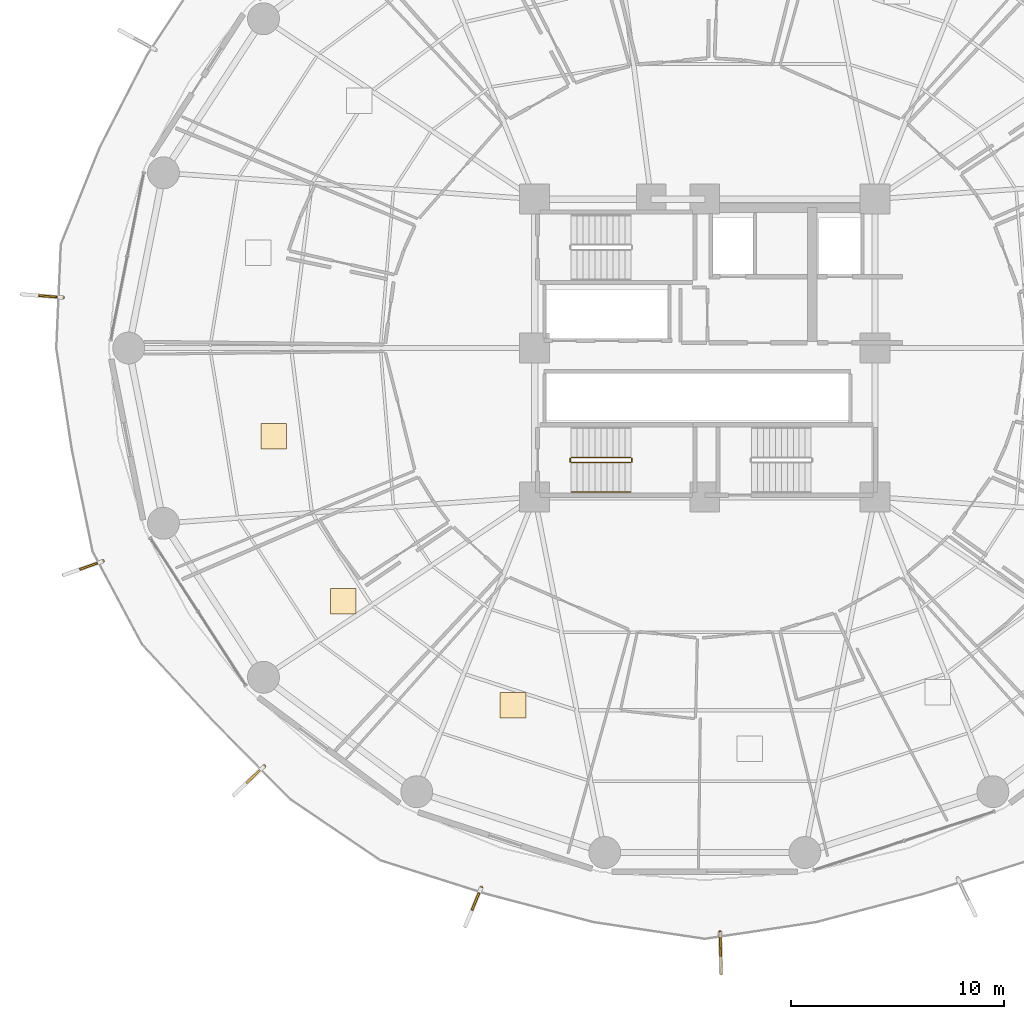
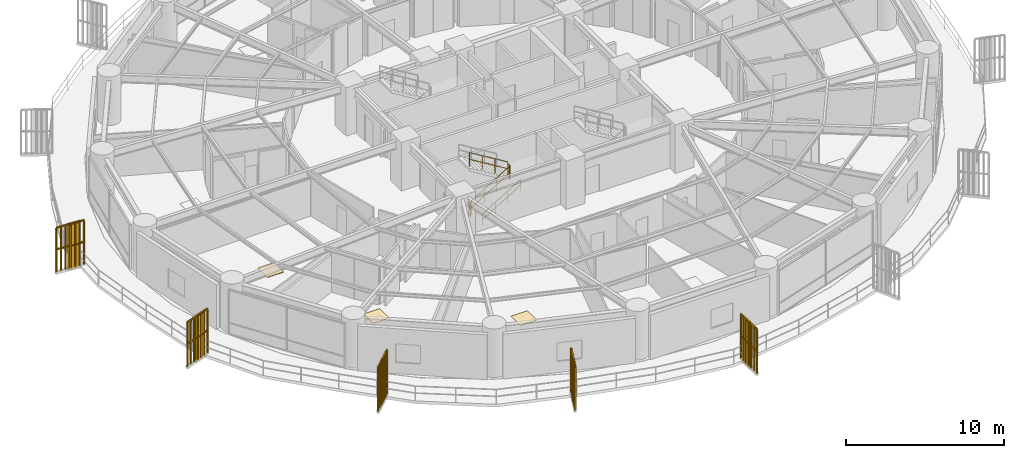
# One storey, part 30 of 34: 10 railings, 5 shading devices, 3 coverings.
"""IFC4 building model written with IfcOpenShell, lengths in metres."""

from ifc_helpers import new_model, si_unit, direction, frame, origin, origin_2d, place, context, subcontext, project, spatial, polyline, rectangle, outline, extrude, source, transform, mapped, material, layer, layer_set, type_object, element, save


model = new_model("IFC4")

# Units and contexts
model_context = context("Model", 3, precision=1e-05, world=origin(), true_north=direction((0.0, 1.0)))
body_context = subcontext(model_context, "Body", "Model", "MODEL_VIEW")
ifc_project = project(units=[si_unit("LENGTHUNIT", "METRE"), si_unit("AREAUNIT", "SQUARE_METRE"), si_unit("VOLUMEUNIT", "CUBIC_METRE"), si_unit("PLANEANGLEUNIT", "RADIAN"), si_unit("MASSUNIT", "GRAM", prefix="KILO")], contexts=[model_context])

# Site, building, storey
site_placement = place(None, origin())
site = spatial("IfcSite", under=ifc_project, at=site_placement, CompositionType="ELEMENT")
building_placement = place(site_placement, origin())
building = spatial("IfcBuilding", under=site, at=building_placement, Name="Kelanora Arch Commons", CompositionType="ELEMENT")
storey_placement = place(building_placement, frame((0.0, 0.0, 30.0)))
storey = spatial("IfcBuildingStorey", under=building, at=storey_placement, Name="L07", CompositionType="ELEMENT", Elevation=30.0)

# Railings
ifc_material_1 = material(Name="Anodised bronze vertical shading fin rib assembly")
railing_type_1 = type_object("IfcRailingType", Name="RAIL-FIN-BRZ", PredefinedType="BALUSTRADE", material=ifc_material_1)
railing_1_placement = place(storey_placement, frame((43.83984375, 60.374267578125, -0.02001953125)))
element("IfcRailing", 1, at=railing_1_placement, inside=storey, type_object=railing_type_1, Name="Sweeping Bronze Vertical Fin Blade L07-07", PredefinedType="BALUSTRADE", context=body_context, shape_type="SweptSolid", body=[
    extrude(outline(polyline([(0.06982421875, 0.0), (0.034912109375, 0.060546875), (-0.034912109375, 0.060546875), (-0.06982421875, 0.0), (-0.034912109375, -0.060546875), (0.034912109375, -0.060546875), (0.06982421875, 0.0)])), frame((0.0, 0.0, 3.419921875), z_axis=(-0.996920026377, 0.07842487493, 0.0), x_axis=(-0.07842487493, -0.996920026377, 0.0)), (0.0, 0.0, 1.0), 1.955078125),
    extrude(outline(polyline([(0.06982421875, 0.0), (0.034912109375, 0.060546875), (-0.034912109375, 0.060546875), (-0.06982421875, 0.0), (-0.034912109375, -0.060546875), (0.034912109375, -0.060546875), (0.06982421875, 0.0)])), frame((0.0, 0.0, 1.7451171875), z_axis=(-0.996920026377, 0.07842487493, 0.0), x_axis=(-0.07842487493, -0.996920026377, 0.0)), (0.0, 0.0, 1.0), 1.955078125),
    extrude(outline(polyline([(0.080078125, 0.0), (0.0400390625, 0.0693359375), (-0.0400390625, 0.0693359375), (-0.080078125, 0.0), (-0.0400390625, -0.0693359375), (0.0400390625, -0.0693359375), (0.080078125, 0.0)])), origin(), (0.0, 0.0, 1.0), 3.35009765625),
    extrude(outline(polyline([(0.080078125, 0.0), (0.0400390625, 0.0693359375), (-0.0400390625, 0.0693359375), (-0.080078125, 0.0), (-0.0400390625, -0.0693359375), (0.0400390625, -0.0693359375), (0.080078125, 0.0)])), frame((-0.32470703125, 0.025634765625, 0.0)), (0.0, 0.0, 1.0), 3.35009765625),
    extrude(outline(polyline([(0.080078125, 0.0), (0.0400390625, 0.0693359375), (-0.0400390625, 0.0693359375), (-0.080078125, 0.0), (-0.0400390625, -0.0693359375), (0.0400390625, -0.0693359375), (0.080078125, 0.0)])), frame((-0.649658203125, 0.051025390625, 0.0)), (0.0, 0.0, 1.0), 3.35009765625),
    extrude(outline(polyline([(0.080078125, 0.0), (0.0400390625, 0.0693359375), (-0.0400390625, 0.0693359375), (-0.080078125, 0.0), (-0.0400390625, -0.0693359375), (0.0400390625, -0.0693359375), (0.080078125, 0.0)])), frame((-0.974609375, 0.07666015625, 0.0)), (0.0, 0.0, 1.0), 3.35009765625),
    extrude(outline(polyline([(0.080078125, 0.0), (0.0400390625, 0.0693359375), (-0.0400390625, 0.0693359375), (-0.080078125, 0.0), (-0.0400390625, -0.0693359375), (0.0400390625, -0.0693359375), (0.080078125, 0.0)])), frame((-1.29931640625, 0.102294921875, 0.0)), (0.0, 0.0, 1.0), 3.35009765625),
    extrude(outline(polyline([(0.080078125, 0.0), (0.0400390625, 0.0693359375), (-0.0400390625, 0.0693359375), (-0.080078125, 0.0), (-0.0400390625, -0.0693359375), (0.0400390625, -0.0693359375), (0.080078125, 0.0)])), frame((-1.6240234375, 0.127685546875, 0.0)), (0.0, 0.0, 1.0), 3.35009765625),
    extrude(outline(polyline([(0.080078125, 0.0), (0.0400390625, 0.0693359375), (-0.0400390625, 0.0693359375), (-0.080078125, 0.0), (-0.0400390625, -0.0693359375), (0.0400390625, -0.0693359375), (0.080078125, 0.0)])), frame((-1.948974609375, 0.1533203125, 0.0)), (0.0, 0.0, 1.0), 3.35009765625),
])
railing_2_placement = place(storey_placement, frame((45.7119140625, 47.983154296875, -0.02001953125)))
element("IfcRailing", 2, at=railing_2_placement, inside=storey, type_object=railing_type_1, Name="Sweeping Bronze Vertical Fin Blade L07-08", PredefinedType="BALUSTRADE", context=body_context, shape_type="SweptSolid", body=[
    extrude(outline(polyline([(0.06982421875, 0.0), (0.034912109375, 0.060546875), (-0.034912109375, 0.060546875), (-0.06982421875, 0.0), (-0.034912109375, -0.060546875), (0.034912109375, -0.060546875), (0.06982421875, 0.0)])), frame((0.0, 0.0, 3.419921875), z_axis=(-0.942676342874, -0.333708424504, 0.0), x_axis=(0.333708424504, -0.942676342874, 0.0)), (0.0, 0.0, 1.0), 1.954833984375),
    extrude(outline(polyline([(0.06982421875, 0.0), (0.034912109375, 0.060546875), (-0.034912109375, 0.060546875), (-0.06982421875, 0.0), (-0.034912109375, -0.060546875), (0.034912109375, -0.060546875), (0.06982421875, 0.0)])), frame((0.0, 0.0, 1.7451171875), z_axis=(-0.942676342874, -0.333708424504, 0.0), x_axis=(0.333708424504, -0.942676342874, 0.0)), (0.0, 0.0, 1.0), 1.954833984375),
    extrude(outline(polyline([(0.080078125, 0.0), (0.0400390625, 0.0693359375), (-0.0400390625, 0.0693359375), (-0.080078125, 0.0), (-0.0400390625, -0.0693359375), (0.0400390625, -0.0693359375), (0.080078125, 0.0)])), origin(), (0.0, 0.0, 1.0), 3.35009765625),
    extrude(outline(polyline([(0.080078125, 0.0), (0.0400390625, 0.0693359375), (-0.0400390625, 0.0693359375), (-0.080078125, 0.0), (-0.0400390625, -0.0693359375), (0.0400390625, -0.0693359375), (0.080078125, 0.0)])), frame((-0.30712890625, -0.108642578125, 0.0)), (0.0, 0.0, 1.0), 3.35009765625),
    extrude(outline(polyline([(0.080078125, 0.0), (0.0400390625, 0.0693359375), (-0.0400390625, 0.0693359375), (-0.080078125, 0.0), (-0.0400390625, -0.0693359375), (0.0400390625, -0.0693359375), (0.080078125, 0.0)])), frame((-0.6142578125, -0.217529296875, 0.0)), (0.0, 0.0, 1.0), 3.35009765625),
    extrude(outline(polyline([(0.080078125, 0.0), (0.0400390625, 0.0693359375), (-0.0400390625, 0.0693359375), (-0.080078125, 0.0), (-0.0400390625, -0.0693359375), (0.0400390625, -0.0693359375), (0.080078125, 0.0)])), frame((-0.92138671875, -0.326171875, 0.0)), (0.0, 0.0, 1.0), 3.35009765625),
    extrude(outline(polyline([(0.080078125, 0.0), (0.0400390625, 0.0693359375), (-0.0400390625, 0.0693359375), (-0.080078125, 0.0), (-0.0400390625, -0.0693359375), (0.0400390625, -0.0693359375), (0.080078125, 0.0)])), frame((-1.228515625, -0.434814453125, 0.0)), (0.0, 0.0, 1.0), 3.35009765625),
    extrude(outline(polyline([(0.080078125, 0.0), (0.0400390625, 0.0693359375), (-0.0400390625, 0.0693359375), (-0.080078125, 0.0), (-0.0400390625, -0.0693359375), (0.0400390625, -0.0693359375), (0.080078125, 0.0)])), frame((-1.53564453125, -0.543701171875, 0.0)), (0.0, 0.0, 1.0), 3.35009765625),
    extrude(outline(polyline([(0.080078125, 0.0), (0.0400390625, 0.0693359375), (-0.0400390625, 0.0693359375), (-0.080078125, 0.0), (-0.0400390625, -0.0693359375), (0.0400390625, -0.0693359375), (0.080078125, 0.0)])), frame((-1.8427734375, -0.65234375, 0.0)), (0.0, 0.0, 1.0), 3.35009765625),
])
railing_3_placement = place(storey_placement, frame((53.289306640625, 38.346923828125, -0.02001953125)))
element("IfcRailing", 3, at=railing_3_placement, inside=storey, type_object=railing_type_1, Name="Sweeping Bronze Vertical Fin Blade L07-09", PredefinedType="BALUSTRADE", context=body_context, shape_type="SweptSolid", body=[
    extrude(outline(polyline([(0.06982421875, 0.0), (0.034912109375, 0.060546875), (-0.034912109375, 0.060546875), (-0.06982421875, 0.0), (-0.034912109375, -0.060546875), (0.034912109375, -0.060546875), (0.06982421875, 0.0)])), frame((0.0, 0.0, 3.419921875), z_axis=(-0.725407739329, -0.688319411118, 0.0), x_axis=(0.688319411118, -0.725407739329, 0.0)), (0.0, 0.0, 1.0), 1.955078125),
    extrude(outline(polyline([(0.06982421875, 0.0), (0.034912109375, 0.060546875), (-0.034912109375, 0.060546875), (-0.06982421875, 0.0), (-0.034912109375, -0.060546875), (0.034912109375, -0.060546875), (0.06982421875, 0.0)])), frame((0.0, 0.0, 1.7451171875), z_axis=(-0.725407739329, -0.688319411118, 0.0), x_axis=(0.688319411118, -0.725407739329, 0.0)), (0.0, 0.0, 1.0), 1.955078125),
    extrude(outline(polyline([(0.080078125, 0.0), (0.0400390625, 0.0693359375), (-0.0400390625, 0.0693359375), (-0.080078125, 0.0), (-0.0400390625, -0.0693359375), (0.0400390625, -0.0693359375), (0.080078125, 0.0)])), origin(), (0.0, 0.0, 1.0), 3.35009765625),
    extrude(outline(polyline([(0.080078125, 0.0), (0.0400390625, 0.0693359375), (-0.0400390625, 0.0693359375), (-0.080078125, 0.0), (-0.0400390625, -0.0693359375), (0.0400390625, -0.0693359375), (0.080078125, 0.0)])), frame((-0.236328125, -0.224365234375, 0.0)), (0.0, 0.0, 1.0), 3.35009765625),
    extrude(outline(polyline([(0.080078125, 0.0), (0.0400390625, 0.0693359375), (-0.0400390625, 0.0693359375), (-0.080078125, 0.0), (-0.0400390625, -0.0693359375), (0.0400390625, -0.0693359375), (0.080078125, 0.0)])), frame((-0.47265625, -0.448486328125, 0.0)), (0.0, 0.0, 1.0), 3.35009765625),
    extrude(outline(polyline([(0.080078125, 0.0), (0.0400390625, 0.0693359375), (-0.0400390625, 0.0693359375), (-0.080078125, 0.0), (-0.0400390625, -0.0693359375), (0.0400390625, -0.0693359375), (0.080078125, 0.0)])), frame((-0.708984375, -0.6728515625, 0.0)), (0.0, 0.0, 1.0), 3.35009765625),
    extrude(outline(polyline([(0.080078125, 0.0), (0.0400390625, 0.0693359375), (-0.0400390625, 0.0693359375), (-0.080078125, 0.0), (-0.0400390625, -0.0693359375), (0.0400390625, -0.0693359375), (0.080078125, 0.0)])), frame((-0.945556640625, -0.897216796875, 0.0)), (0.0, 0.0, 1.0), 3.35009765625),
    extrude(outline(polyline([(0.080078125, 0.0), (0.0400390625, 0.0693359375), (-0.0400390625, 0.0693359375), (-0.080078125, 0.0), (-0.0400390625, -0.0693359375), (0.0400390625, -0.0693359375), (0.080078125, 0.0)])), frame((-1.181884765625, -1.121337890625, 0.0)), (0.0, 0.0, 1.0), 3.35009765625),
    extrude(outline(polyline([(0.080078125, 0.0), (0.0400390625, 0.0693359375), (-0.0400390625, 0.0693359375), (-0.080078125, 0.0), (-0.0400390625, -0.0693359375), (0.0400390625, -0.0693359375), (0.080078125, 0.0)])), frame((-1.418212890625, -1.345703125, 0.0)), (0.0, 0.0, 1.0), 3.35009765625),
])
railing_4_placement = place(storey_placement, frame((63.498779296875, 32.64892578125, -0.02001953125)))
element("IfcRailing", 4, at=railing_4_placement, inside=storey, type_object=railing_type_1, Name="Sweeping Bronze Vertical Fin Blade L07-10", PredefinedType="BALUSTRADE", context=body_context, shape_type="SweptSolid", body=[
    extrude(outline(polyline([(0.06982421875, 0.0), (0.034912109375, 0.060546875), (-0.034912109375, 0.060546875), (-0.06982421875, 0.0), (-0.034912109375, -0.060546875), (0.034912109375, -0.060546875), (0.06982421875, 0.0)])), frame((0.0, 0.0, 3.419921875), z_axis=(-0.38275250889, -0.923850917052, 0.0), x_axis=(0.923850917052, -0.38275250889, 0.0)), (0.0, 0.0, 1.0), 1.955078125),
    extrude(outline(polyline([(0.06982421875, 0.0), (0.034912109375, 0.060546875), (-0.034912109375, 0.060546875), (-0.06982421875, 0.0), (-0.034912109375, -0.060546875), (0.034912109375, -0.060546875), (0.06982421875, 0.0)])), frame((0.0, 0.0, 1.7451171875), z_axis=(-0.38275250889, -0.923850917052, 0.0), x_axis=(0.923850917052, -0.38275250889, 0.0)), (0.0, 0.0, 1.0), 1.955078125),
    extrude(outline(polyline([(0.080078125, 0.0), (0.0400390625, 0.0693359375), (-0.0400390625, 0.0693359375), (-0.080078125, 0.0), (-0.0400390625, -0.0693359375), (0.0400390625, -0.0693359375), (0.080078125, 0.0)])), origin(), (0.0, 0.0, 1.0), 3.35009765625),
    extrude(outline(polyline([(0.080078125, 0.0), (0.0400390625, 0.0693359375), (-0.0400390625, 0.0693359375), (-0.080078125, 0.0), (-0.0400390625, -0.0693359375), (0.0400390625, -0.0693359375), (0.080078125, 0.0)])), frame((-0.124755859375, -0.301025390625, 0.0)), (0.0, 0.0, 1.0), 3.35009765625),
    extrude(outline(polyline([(0.080078125, 0.0), (0.0400390625, 0.0693359375), (-0.0400390625, 0.0693359375), (-0.080078125, 0.0), (-0.0400390625, -0.0693359375), (0.0400390625, -0.0693359375), (0.080078125, 0.0)])), frame((-0.24951171875, -0.60205078125, 0.0)), (0.0, 0.0, 1.0), 3.35009765625),
    extrude(outline(polyline([(0.080078125, 0.0), (0.0400390625, 0.0693359375), (-0.0400390625, 0.0693359375), (-0.080078125, 0.0), (-0.0400390625, -0.0693359375), (0.0400390625, -0.0693359375), (0.080078125, 0.0)])), frame((-0.3740234375, -0.903076171875, 0.0)), (0.0, 0.0, 1.0), 3.35009765625),
    extrude(outline(polyline([(0.080078125, 0.0), (0.0400390625, 0.0693359375), (-0.0400390625, 0.0693359375), (-0.080078125, 0.0), (-0.0400390625, -0.0693359375), (0.0400390625, -0.0693359375), (0.080078125, 0.0)])), frame((-0.498779296875, -1.2041015625, 0.0)), (0.0, 0.0, 1.0), 3.35009765625),
    extrude(outline(polyline([(0.080078125, 0.0), (0.0400390625, 0.0693359375), (-0.0400390625, 0.0693359375), (-0.080078125, 0.0), (-0.0400390625, -0.0693359375), (0.0400390625, -0.0693359375), (0.080078125, 0.0)])), frame((-0.62353515625, -1.505126953125, 0.0)), (0.0, 0.0, 1.0), 3.35009765625),
    extrude(outline(polyline([(0.080078125, 0.0), (0.0400390625, 0.0693359375), (-0.0400390625, 0.0693359375), (-0.080078125, 0.0), (-0.0400390625, -0.0693359375), (0.0400390625, -0.0693359375), (0.080078125, 0.0)])), frame((-0.748291015625, -1.80615234375, 0.0)), (0.0, 0.0, 1.0), 3.35009765625),
])
railing_5_placement = place(storey_placement, frame((74.718017578125, 30.563720703125, -0.02001953125)))
element("IfcRailing", 5, at=railing_5_placement, inside=storey, type_object=railing_type_1, Name="Sweeping Bronze Vertical Fin Blade L07-11", PredefinedType="BALUSTRADE", context=body_context, shape_type="SweptSolid", body=[
    extrude(outline(polyline([(0.06982421875, 0.0), (0.034912109375, 0.060546875), (-0.034912109375, 0.060546875), (-0.06982421875, 0.0), (-0.034912109375, -0.060546875), (0.034912109375, -0.060546875), (0.06982421875, 0.0)])), frame((0.0, 0.0, 3.419921875), z_axis=(0.026096530147, -0.999659427562, 0.0), x_axis=(0.999659427562, 0.026096530147, 0.0)), (0.0, 0.0, 1.0), 1.955322265625),
    extrude(outline(polyline([(0.06982421875, 0.0), (0.034912109375, 0.060546875), (-0.034912109375, 0.060546875), (-0.06982421875, 0.0), (-0.034912109375, -0.060546875), (0.034912109375, -0.060546875), (0.06982421875, 0.0)])), frame((0.0, 0.0, 1.7451171875), z_axis=(0.026096530147, -0.999659427562, 0.0), x_axis=(0.999659427562, 0.026096530147, 0.0)), (0.0, 0.0, 1.0), 1.955322265625),
    extrude(outline(polyline([(0.080078125, 0.0), (0.0400390625, 0.0693359375), (-0.0400390625, 0.0693359375), (-0.080078125, 0.0), (-0.0400390625, -0.0693359375), (0.0400390625, -0.0693359375), (0.080078125, 0.0)])), origin(), (0.0, 0.0, 1.0), 3.35009765625),
    extrude(outline(polyline([(0.080078125, 0.0), (0.0400390625, 0.0693359375), (-0.0400390625, 0.0693359375), (-0.080078125, 0.0), (-0.0400390625, -0.0693359375), (0.0400390625, -0.0693359375), (0.080078125, 0.0)])), frame((0.008544921875, -0.32568359375, 0.0)), (0.0, 0.0, 1.0), 3.35009765625),
    extrude(outline(polyline([(0.080078125, 0.0), (0.0400390625, 0.0693359375), (-0.0400390625, 0.0693359375), (-0.080078125, 0.0), (-0.0400390625, -0.0693359375), (0.0400390625, -0.0693359375), (0.080078125, 0.0)])), frame((0.01708984375, -0.651611328125, 0.0)), (0.0, 0.0, 1.0), 3.35009765625),
    extrude(outline(polyline([(0.080078125, 0.0), (0.0400390625, 0.0693359375), (-0.0400390625, 0.0693359375), (-0.080078125, 0.0), (-0.0400390625, -0.0693359375), (0.0400390625, -0.0693359375), (0.080078125, 0.0)])), frame((0.025390625, -0.977294921875, 0.0)), (0.0, 0.0, 1.0), 3.35009765625),
    extrude(outline(polyline([(0.080078125, 0.0), (0.0400390625, 0.0693359375), (-0.0400390625, 0.0693359375), (-0.080078125, 0.0), (-0.0400390625, -0.0693359375), (0.0400390625, -0.0693359375), (0.080078125, 0.0)])), frame((0.033935546875, -1.302978515625, 0.0)), (0.0, 0.0, 1.0), 3.35009765625),
    extrude(outline(polyline([(0.080078125, 0.0), (0.0400390625, 0.0693359375), (-0.0400390625, 0.0693359375), (-0.080078125, 0.0), (-0.0400390625, -0.0693359375), (0.0400390625, -0.0693359375), (0.080078125, 0.0)])), frame((0.04248046875, -1.62890625, 0.0)), (0.0, 0.0, 1.0), 3.35009765625),
    extrude(outline(polyline([(0.080078125, 0.0), (0.0400390625, 0.0693359375), (-0.0400390625, 0.0693359375), (-0.080078125, 0.0), (-0.0400390625, -0.0693359375), (0.0400390625, -0.0693359375), (0.080078125, 0.0)])), frame((0.051025390625, -1.95458984375, 0.0)), (0.0, 0.0, 1.0), 3.35009765625),
])
ifc_material_2 = material(Name="Painted steel stair well guard", Category="steel")
railing_type_2 = type_object("IfcRailingType", Name="RAIL-STAIR-GRD", PredefinedType="GUARDRAIL", material=ifc_material_2)
railing_6_placement = place(storey_placement, frame((67.719970703125, 52.610107421875, 0.17041015625)))
element("IfcRailing", 6, at=railing_6_placement, inside=storey, type_object=railing_type_2, Name="L07 ST-T3 stair guard 1", PredefinedType="GUARDRAIL", context=body_context, shape_type="SweptSolid", body=[
    extrude(outline(polyline([(0.02392578125, 0.0), (0.011962890625, 0.020751953125), (-0.011962890625, 0.020751953125), (-0.02392578125, 0.0), (-0.011962890625, -0.020751953125), (0.011962890625, -0.020751953125), (0.02392578125, 0.0)])), frame((0.0, 0.0, 1.076171875), z_axis=(0.854169791009, 0.0, 0.51999420009), x_axis=(0.0, 1.0, 0.0)), (0.0, 0.0, 1.0), 3.278076171875),
    extrude(outline(polyline([(0.02392578125, 0.0), (0.011962890625, 0.020751953125), (-0.011962890625, 0.020751953125), (-0.02392578125, 0.0), (-0.011962890625, -0.020751953125), (0.011962890625, -0.020751953125), (0.02392578125, 0.0)])), frame((0.0, 0.0, 0.550048828125), z_axis=(0.854169791009, 0.0, 0.51999420009), x_axis=(0.0, 1.0, 0.0)), (0.0, 0.0, 1.0), 3.278076171875),
    extrude(outline(polyline([(0.02099609375, 0.0), (0.010498046875, 0.01806640625), (-0.010498046875, 0.01806640625), (-0.02099609375, 0.0), (-0.010498046875, -0.01806640625), (0.010498046875, -0.01806640625), (0.02099609375, 0.0)])), origin(), (0.0, 0.0, 1.0), 1.052001953125),
    extrude(outline(polyline([(0.02099609375, 0.0), (0.010498046875, 0.01806640625), (-0.010498046875, 0.01806640625), (-0.02099609375, 0.0), (-0.010498046875, -0.01806640625), (0.010498046875, -0.01806640625), (0.02099609375, 0.0)])), frame((0.933349609375, 0.0, 0.568115234375)), (0.0, 0.0, 1.0), 1.052001953125),
    extrude(outline(polyline([(0.02099609375, 0.0), (0.010498046875, 0.01806640625), (-0.010498046875, 0.01806640625), (-0.02099609375, 0.0), (-0.010498046875, -0.01806640625), (0.010498046875, -0.01806640625), (0.02099609375, 0.0)])), frame((1.86669921875, 0.0, 1.136474609375)), (0.0, 0.0, 1.0), 1.052001953125),
    extrude(outline(polyline([(0.02099609375, 0.0), (0.010498046875, 0.01806640625), (-0.010498046875, 0.01806640625), (-0.02099609375, 0.0), (-0.010498046875, -0.01806640625), (0.010498046875, -0.01806640625), (0.02099609375, 0.0)])), frame((2.800048828125, 0.0, 1.70458984375)), (0.0, 0.0, 1.0), 1.052001953125),
])
railing_7_placement = place(storey_placement, frame((70.570068359375, 52.659912109375, 1.875)))
element("IfcRailing", 7, at=railing_7_placement, inside=storey, type_object=railing_type_2, Name="L07 ST-T3 stair guard 2", PredefinedType="GUARDRAIL", context=body_context, shape_type="SweptSolid", body=[
    extrude(outline(polyline([(0.02392578125, 0.0), (0.011962890625, 0.020751953125), (-0.011962890625, 0.020751953125), (-0.02392578125, 0.0), (-0.011962890625, -0.020751953125), (0.011962890625, -0.020751953125), (0.02392578125, 0.0)])), frame((0.0, 0.0, 1.076171875), z_axis=(0.0, 1.0, 0.0), x_axis=(-1.0, 0.0, 0.0)), (0.0, 0.0, 1.0), 0.150146484375),
    extrude(outline(polyline([(0.02392578125, 0.0), (0.011962890625, 0.020751953125), (-0.011962890625, 0.020751953125), (-0.02392578125, 0.0), (-0.011962890625, -0.020751953125), (0.011962890625, -0.020751953125), (0.02392578125, 0.0)])), frame((0.0, 0.0, 0.550048828125), z_axis=(0.0, 1.0, 0.0), x_axis=(-1.0, 0.0, 0.0)), (0.0, 0.0, 1.0), 0.150146484375),
    extrude(outline(polyline([(0.02099609375, 0.0), (0.010498046875, 0.01806640625), (-0.010498046875, 0.01806640625), (-0.02099609375, 0.0), (-0.010498046875, -0.01806640625), (0.010498046875, -0.01806640625), (0.02099609375, 0.0)])), origin(), (0.0, 0.0, 1.0), 1.052001953125),
    extrude(outline(polyline([(0.02099609375, 0.0), (0.010498046875, 0.01806640625), (-0.010498046875, 0.01806640625), (-0.02099609375, 0.0), (-0.010498046875, -0.01806640625), (0.010498046875, -0.01806640625), (0.02099609375, 0.0)])), frame((0.0, 0.150146484375, 0.0)), (0.0, 0.0, 1.0), 1.052001953125),
])
railing_8_placement = place(storey_placement, frame((70.52001953125, 52.860107421875, 2.04541015625)))
element("IfcRailing", 8, at=railing_8_placement, inside=storey, type_object=railing_type_2, Name="L07 ST-T3 stair guard 3", PredefinedType="GUARDRAIL", context=body_context, shape_type="SweptSolid", body=[
    extrude(outline(polyline([(0.02392578125, 0.0), (0.011962890625, 0.020751953125), (-0.011962890625, 0.020751953125), (-0.02392578125, 0.0), (-0.011962890625, -0.020751953125), (0.011962890625, -0.020751953125), (0.02392578125, 0.0)])), frame((0.0, 0.0, 1.076171875), z_axis=(-0.854169791009, 0.0, 0.51999420009), x_axis=(0.0, -1.0, 0.0)), (0.0, 0.0, 1.0), 3.278076171875),
    extrude(outline(polyline([(0.02392578125, 0.0), (0.011962890625, 0.020751953125), (-0.011962890625, 0.020751953125), (-0.02392578125, 0.0), (-0.011962890625, -0.020751953125), (0.011962890625, -0.020751953125), (0.02392578125, 0.0)])), frame((0.0, 0.0, 0.550048828125), z_axis=(-0.854169791009, 0.0, 0.51999420009), x_axis=(0.0, -1.0, 0.0)), (0.0, 0.0, 1.0), 3.278076171875),
    extrude(outline(polyline([(0.02099609375, 0.0), (0.010498046875, 0.01806640625), (-0.010498046875, 0.01806640625), (-0.02099609375, 0.0), (-0.010498046875, -0.01806640625), (0.010498046875, -0.01806640625), (0.02099609375, 0.0)])), origin(), (0.0, 0.0, 1.0), 1.052001953125),
    extrude(outline(polyline([(0.02099609375, 0.0), (0.010498046875, 0.01806640625), (-0.010498046875, 0.01806640625), (-0.02099609375, 0.0), (-0.010498046875, -0.01806640625), (0.010498046875, -0.01806640625), (0.02099609375, 0.0)])), frame((-0.933349609375, 0.0, 0.568115234375)), (0.0, 0.0, 1.0), 1.052001953125),
    extrude(outline(polyline([(0.02099609375, 0.0), (0.010498046875, 0.01806640625), (-0.010498046875, 0.01806640625), (-0.02099609375, 0.0), (-0.010498046875, -0.01806640625), (0.010498046875, -0.01806640625), (0.02099609375, 0.0)])), frame((-1.86669921875, 0.0, 1.136474609375)), (0.0, 0.0, 1.0), 1.052001953125),
    extrude(outline(polyline([(0.02099609375, 0.0), (0.010498046875, 0.01806640625), (-0.010498046875, 0.01806640625), (-0.02099609375, 0.0), (-0.010498046875, -0.01806640625), (0.010498046875, -0.01806640625), (0.02099609375, 0.0)])), frame((-2.800048828125, 0.0, 1.70458984375)), (0.0, 0.0, 1.0), 1.052001953125),
])
railing_9_placement = place(storey_placement, frame((67.669921875, 52.659912109375, 0.0)))
element("IfcRailing", 9, at=railing_9_placement, inside=storey, type_object=railing_type_2, Name="L07 ST-T3 stair guard 4", PredefinedType="GUARDRAIL", context=body_context, shape_type="SweptSolid", body=[
    extrude(outline(polyline([(0.02392578125, 0.0), (0.011962890625, 0.020751953125), (-0.011962890625, 0.020751953125), (-0.02392578125, 0.0), (-0.011962890625, -0.020751953125), (0.011962890625, -0.020751953125), (0.02392578125, 0.0)])), frame((0.0, 0.0, 1.076171875), z_axis=(0.0, 1.0, 0.0), x_axis=(-1.0, 0.0, 0.0)), (0.0, 0.0, 1.0), 0.150146484375),
    extrude(outline(polyline([(0.02392578125, 0.0), (0.011962890625, 0.020751953125), (-0.011962890625, 0.020751953125), (-0.02392578125, 0.0), (-0.011962890625, -0.020751953125), (0.011962890625, -0.020751953125), (0.02392578125, 0.0)])), frame((0.0, 0.0, 0.550048828125), z_axis=(0.0, 1.0, 0.0), x_axis=(-1.0, 0.0, 0.0)), (0.0, 0.0, 1.0), 0.150146484375),
    extrude(outline(polyline([(0.02099609375, 0.0), (0.010498046875, 0.01806640625), (-0.010498046875, 0.01806640625), (-0.02099609375, 0.0), (-0.010498046875, -0.01806640625), (0.010498046875, -0.01806640625), (0.02099609375, 0.0)])), origin(), (0.0, 0.0, 1.0), 1.052001953125),
    extrude(outline(polyline([(0.02099609375, 0.0), (0.010498046875, 0.01806640625), (-0.010498046875, 0.01806640625), (-0.02099609375, 0.0), (-0.010498046875, -0.01806640625), (0.010498046875, -0.01806640625), (0.02099609375, 0.0)])), frame((0.0, 0.150146484375, 0.0)), (0.0, 0.0, 1.0), 1.052001953125),
])
ifc_material_3 = material(Name="Brushed stainless steel stair handrail", Category="steel")
railing_type_3 = type_object("IfcRailingType", Name="RAIL-STAIR-HND", PredefinedType="HANDRAIL", material=ifc_material_3)
railing_10_placement = place(storey_placement, frame((67.719970703125, 51.22998046875, 0.17041015625)))
element("IfcRailing", 10, at=railing_10_placement, inside=storey, type_object=railing_type_3, Name="L07 ST-T3 stair handrail 1", PredefinedType="HANDRAIL", context=body_context, shape_type="SweptSolid", body=[
    extrude(outline(polyline([(0.02392578125, 0.0), (0.011962890625, 0.020751953125), (-0.011962890625, 0.020751953125), (-0.02392578125, 0.0), (-0.011962890625, -0.020751953125), (0.011962890625, -0.020751953125), (0.02392578125, 0.0)])), frame((0.0, 0.0, 0.8759765625), z_axis=(0.854169791009, 0.0, 0.51999420009), x_axis=(0.0, 1.0, 0.0)), (0.0, 0.0, 1.0), 3.278076171875),
    extrude(outline(polyline([(0.02392578125, 0.0), (0.011962890625, 0.020751953125), (-0.011962890625, 0.020751953125), (-0.02392578125, 0.0), (-0.011962890625, -0.020751953125), (0.011962890625, -0.020751953125), (0.02392578125, 0.0)])), frame((0.0, 0.0, 0.449951171875), z_axis=(0.854169791009, 0.0, 0.51999420009), x_axis=(0.0, 1.0, 0.0)), (0.0, 0.0, 1.0), 3.278076171875),
    extrude(outline(polyline([(0.02099609375, 0.0), (0.010498046875, 0.01806640625), (-0.010498046875, 0.01806640625), (-0.02099609375, 0.0), (-0.010498046875, -0.01806640625), (0.010498046875, -0.01806640625), (0.02099609375, 0.0)])), origin(), (0.0, 0.0, 1.0), 0.851806640625),
    extrude(outline(polyline([(0.02099609375, 0.0), (0.010498046875, 0.01806640625), (-0.010498046875, 0.01806640625), (-0.02099609375, 0.0), (-0.010498046875, -0.01806640625), (0.010498046875, -0.01806640625), (0.02099609375, 0.0)])), frame((0.933349609375, 0.0, 0.568115234375)), (0.0, 0.0, 1.0), 0.851806640625),
    extrude(outline(polyline([(0.02099609375, 0.0), (0.010498046875, 0.01806640625), (-0.010498046875, 0.01806640625), (-0.02099609375, 0.0), (-0.010498046875, -0.01806640625), (0.010498046875, -0.01806640625), (0.02099609375, 0.0)])), frame((1.86669921875, 0.0, 1.136474609375)), (0.0, 0.0, 1.0), 0.851806640625),
    extrude(outline(polyline([(0.02099609375, 0.0), (0.010498046875, 0.01806640625), (-0.010498046875, 0.01806640625), (-0.02099609375, 0.0), (-0.010498046875, -0.01806640625), (0.010498046875, -0.01806640625), (0.02099609375, 0.0)])), frame((2.800048828125, 0.0, 1.70458984375)), (0.0, 0.0, 1.0), 0.851806640625),
])

# Shading devices
ifc_material_4 = material(Name="Terracotta ceramic-clad extruded aluminium fin", Category="masonry")
shading_device_type = type_object("IfcShadingDeviceType", Name="SHD-FIN-FLARE", PredefinedType="USERDEFINED", material=ifc_material_4)
shared_shape_1 = source(origin(), body_context, "Body", "SweptSolid", [
    extrude(rectangle(XDim=0.8798828125, YDim=0.090087890625, at=origin_2d()), origin(), (0.0, 0.0, 1.0), 3.610107421875),
])
for number, where, z_axis, x_axis, name in (
    (11, (43.1220703125, 60.4306640625, -0.14013671875), (0.0, 0.0, 1.0), (-0.996917333733, 0.078459095728, 0.0), "Sweeping Terracotta Fin L07-07"),
    (12, (45.033203125, 47.742919921875, -0.14013671875), (0.0, 0.0, 1.0), (-0.942641491092, -0.333806859234, 0.0), "Sweeping Terracotta Fin L07-08"),
    (13, (52.76708984375, 37.851318359375, -0.14013671875), (0.0, 0.0, 1.0), (-0.725374371012, -0.688354575694, 0.0), "Sweeping Terracotta Fin L07-09"),
    (14, (63.22314453125, 31.983642578125, -0.14013671875), (0.0, 0.0, 1.0), (-0.382683432365, -0.923879532511, 0.0), "Sweeping Terracotta Fin L07-10"),
    (15, (74.73681640625, 29.84375, -0.14013671875), (0.0, 0.0, 1.0), (0.026176948308, -0.999657324976, 0.0), "Sweeping Terracotta Fin L07-11"),
):
    element("IfcShadingDevice", number, at=place(storey_placement, frame(where, z_axis=z_axis, x_axis=x_axis)), inside=storey, type_object=shading_device_type, Name=name, ObjectType="FIN", PredefinedType="USERDEFINED", context=body_context, shape_type="MappedRepresentation", body=[
        mapped(shared_shape_1, transform((0.0, 0.0, 0.0), scale=1.0)),
    ])

# Coverings
ifc_material_5 = material(Name="Polished local granite terrazzo flooring", Category="masonry")
ifc_layer = layer(ifc_material_5, 0.030029296875)
ifc_layer_set = layer_set([ifc_layer], Name="Polished local granite terrazzo flooring")
covering_type = type_object("IfcCoveringType", Name="COV-FLR-TER", PredefinedType="FLOORING", material=ifc_layer_set)
shared_shape_2 = source(origin(), body_context, "Body", "SweptSolid", [
    extrude(rectangle(XDim=1.199951171875, YDim=1.199951171875, at=origin_2d()), origin(), (0.0, 0.0, 1.0), 0.030029296875),
])
for number, where, z_axis, x_axis, name in (
    (16, (53.742919921875, 53.85498046875, 0.0), (0.0, 0.0, 1.0), (1.0, 0.0, 0.0), "Social Sky Lounge L07-08 Terrazzo Finish"),
    (17, (57.004150390625, 46.097412109375, 0.0), (0.0, 0.0, 1.0), (1.0, 0.0, 0.0), "Co-Living Studio L07-09 Terrazzo Finish"),
    (18, (64.984619140625, 41.21728515625, 0.0), (0.0, 0.0, 1.0), (1.0, 0.0, 0.0), "Quiet Seminar Study Room L07-10 Terrazzo Finish"),
):
    element("IfcCovering", number, at=place(storey_placement, frame(where, z_axis=z_axis, x_axis=x_axis)), inside=storey, type_object=covering_type, Name=name, PredefinedType="FLOORING", context=body_context, shape_type="MappedRepresentation", body=[
        mapped(shared_shape_2, transform((0.0, 0.0, 0.0), scale=1.0)),
    ])

save(model, "model.ifc")
